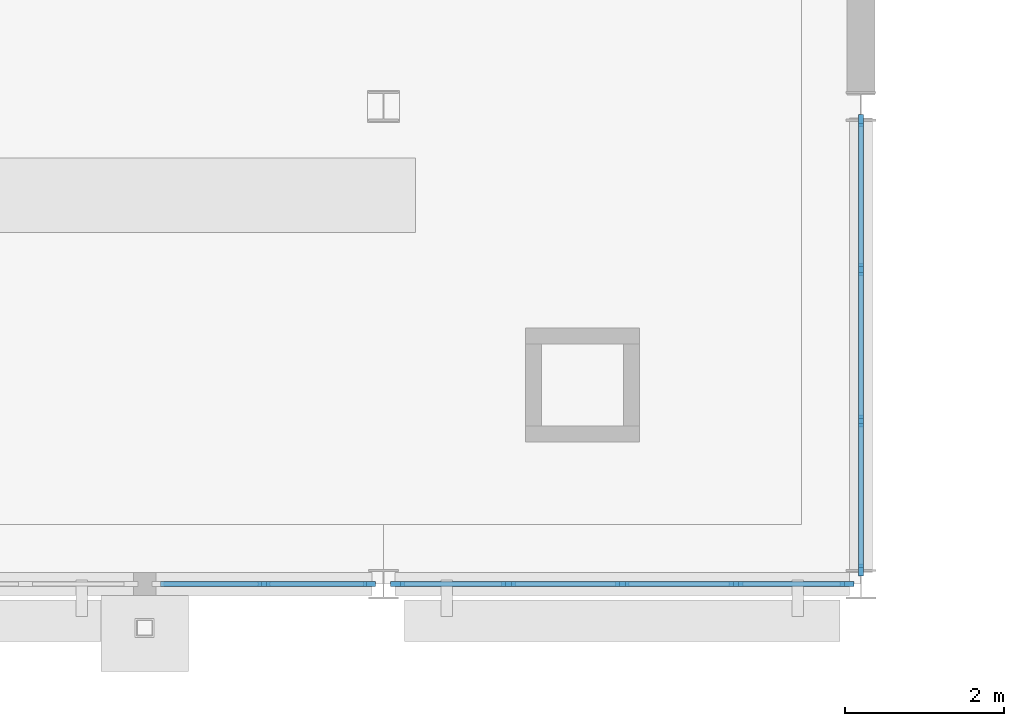
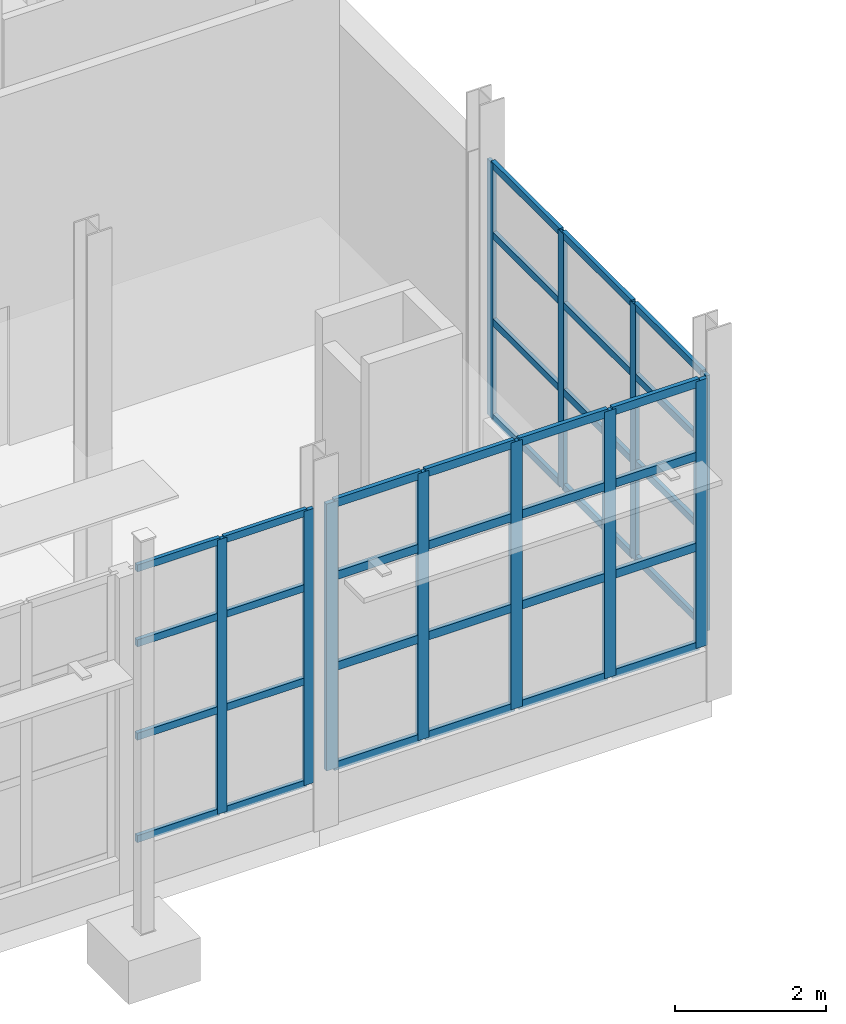
# One storey, part 62 of 120: 47 members, 3 elements without a shape of their own.
"""IFC4 building model written with IfcOpenShell, lengths in metres."""

from ifc_helpers import new_model, si_unit, direction, frame, origin, origin_2d, place, context, subcontext, project, spatial, rectangle, extrude, material, material_profile, profile_set, type_object, element, aggregate, save


model = new_model("IFC4")

# Units and contexts
model_context = context("Model", 3, precision=1e-05, world=origin(), true_north=direction((0.0, 1.0)))
body_context = subcontext(model_context, "Body", "Model", "MODEL_VIEW")
ifc_project = project(units=[si_unit("LENGTHUNIT", "METRE"), si_unit("AREAUNIT", "SQUARE_METRE"), si_unit("VOLUMEUNIT", "CUBIC_METRE"), si_unit("PLANEANGLEUNIT", "RADIAN"), si_unit("MASSUNIT", "GRAM", prefix="KILO")], contexts=[model_context])

# Site, building, storey
site_placement = place(None, origin())
site = spatial("IfcSite", under=ifc_project, at=site_placement, CompositionType="ELEMENT")
building_placement = place(site_placement, origin())
building = spatial("IfcBuilding", under=site, at=building_placement, Name="Siltcreek Boulevard Central Fire Station", CompositionType="ELEMENT")
storey_placement = place(building_placement, origin())
storey = spatial("IfcBuildingStorey", under=building, at=storey_placement, Name="L01", CompositionType="ELEMENT", Elevation=0.0)

# Curtain wall, members
ifc_material_1 = material(Name="Anodized aluminum and low-E insulated glazing", Category="aluminium")
curtain_wall_type_1 = type_object("IfcCurtainWallType", Name="CW_SYS_16", PredefinedType="USERDEFINED", material=ifc_material_1)
curtain_wall_1_placement = place(storey_placement, origin())
curtain_wall_1 = element("IfcCurtainWall", 1, at=curtain_wall_1_placement, inside=storey, type_object=curtain_wall_type_1, Name="L01 V5 unitised curtain wall CW-105", ObjectType="CURTAIN WALL", PredefinedType="USERDEFINED")
ifc_material_2 = material(Name="Anodized 6063-T6 aluminum framing", Category="aluminium")
ifc_material_profile_1 = material_profile(ifc_material_2, rectangle(XDim=0.06005859375, YDim=0.14990234375, at=origin_2d()), Name="MULL60X150")
ifc_profile_set_1 = profile_set([ifc_material_profile_1], Name="Anodized 6063-T6 aluminum framing")
member_type_1 = type_object("IfcMemberType", Name="CWM_60X150", PredefinedType="MULLION", material=ifc_profile_set_1)
member_1_placement = place(storey_placement, frame((158.697509765625, 88.199951171875, 0.679931640625), z_axis=(0.0, 0.0, 1.0), x_axis=(0.0, 1.0, 0.0)))
member_1 = element("IfcMember", 2, at=member_1_placement, type_object=member_type_1, Name="CW-105 mullion 2", PredefinedType="MULLION", context=body_context, shape_type="SweptSolid", body=[
    extrude(rectangle(XDim=0.06005859375, YDim=0.14990234375, at=origin_2d()), origin(), (0.0, 0.0, 1.0), 4.43310546875),
])
member_2_placement = place(storey_placement, frame((160.02490234375, 88.199951171875, 0.679931640625), z_axis=(0.0, 0.0, 1.0), x_axis=(0.0, 1.0, 0.0)))
member_2 = element("IfcMember", 3, at=member_2_placement, type_object=member_type_1, Name="CW-105 mullion 3", PredefinedType="MULLION", context=body_context, shape_type="SweptSolid", body=[
    extrude(rectangle(XDim=0.06005859375, YDim=0.14990234375, at=origin_2d()), origin(), (0.0, 0.0, 1.0), 4.43310546875),
])

curtain_wall_type_2 = type_object("IfcCurtainWallType", Name="CW_SYS_30", PredefinedType="USERDEFINED", material=ifc_material_1)
curtain_wall_2_placement = place(storey_placement, origin())
curtain_wall_2 = element("IfcCurtainWall", 4, at=curtain_wall_2_placement, inside=storey, type_object=curtain_wall_type_2, Name="L01 V5 unitised curtain wall CW-119", ObjectType="CURTAIN WALL", PredefinedType="USERDEFINED")
member_3_placement = place(storey_placement, frame((166.199951171875, 88.375, 0.919921875), z_axis=(0.0, 0.0, 1.0), x_axis=(-1.0, 0.0, 0.0)))
member_3 = element("IfcMember", 5, at=member_3_placement, type_object=member_type_1, Name="CW-119 mullion 1", PredefinedType="MULLION", context=body_context, shape_type="SweptSolid", body=[
    extrude(rectangle(XDim=0.06005859375, YDim=0.14990234375, at=origin_2d()), origin(), (0.0, 0.0, 1.0), 4.1240234375),
])
member_4_placement = place(storey_placement, frame((166.199951171875, 90.248291015625, 0.919921875), z_axis=(0.0, 0.0, 1.0), x_axis=(-1.0, 0.0, 0.0)))
member_4 = element("IfcMember", 6, at=member_4_placement, type_object=member_type_1, Name="CW-119 mullion 2", PredefinedType="MULLION", context=body_context, shape_type="SweptSolid", body=[
    extrude(rectangle(XDim=0.06005859375, YDim=0.14990234375, at=origin_2d()), origin(), (0.0, 0.0, 1.0), 4.1240234375),
])
member_5_placement = place(storey_placement, frame((166.199951171875, 92.151611328125, 0.919921875), z_axis=(0.0, 0.0, 1.0), x_axis=(-1.0, 0.0, 0.0)))
member_5 = element("IfcMember", 7, at=member_5_placement, type_object=member_type_1, Name="CW-119 mullion 3", PredefinedType="MULLION", context=body_context, shape_type="SweptSolid", body=[
    extrude(rectangle(XDim=0.06005859375, YDim=0.14990234375, at=origin_2d()), origin(), (0.0, 0.0, 1.0), 4.1240234375),
])
member_6_placement = place(storey_placement, frame((166.199951171875, 94.02490234375, 0.919921875), z_axis=(0.0, 0.0, 1.0), x_axis=(-1.0, 0.0, 0.0)))
member_6 = element("IfcMember", 8, at=member_6_placement, type_object=member_type_1, Name="CW-119 mullion 4", PredefinedType="MULLION", context=body_context, shape_type="SweptSolid", body=[
    extrude(rectangle(XDim=0.06005859375, YDim=0.14990234375, at=origin_2d()), origin(), (0.0, 0.0, 1.0), 4.1240234375),
])

curtain_wall_type_3 = type_object("IfcCurtainWallType", Name="CW_SYS_17", PredefinedType="USERDEFINED", material=ifc_material_1)
curtain_wall_3_placement = place(storey_placement, origin())
curtain_wall_3 = element("IfcCurtainWall", 9, at=curtain_wall_3_placement, inside=storey, type_object=curtain_wall_type_3, Name="L01 V5 unitised curtain wall CW-106", ObjectType="CURTAIN WALL", PredefinedType="USERDEFINED")
ifc_material_profile_2 = material_profile(ifc_material_2, rectangle(XDim=0.06494140625, YDim=0.175048828125, at=origin_2d()), Name="MULL65X175")
ifc_profile_set_2 = profile_set([ifc_material_profile_2], Name="Anodized 6063-T6 aluminum framing")
member_type_2 = type_object("IfcMemberType", Name="CWM_65X175", PredefinedType="MULLION", material=ifc_profile_set_2)
member_7_placement = place(storey_placement, frame((160.37744140625, 88.199951171875, 0.800048828125), z_axis=(0.0, 0.0, 1.0), x_axis=(0.0, 1.0, 0.0)))
member_7 = element("IfcMember", 10, at=member_7_placement, type_object=member_type_2, Name="CW-106 mullion 1", PredefinedType="MULLION", context=body_context, shape_type="SweptSolid", body=[
    extrude(rectangle(XDim=0.06494140625, YDim=0.175048828125, at=origin_2d()), origin(), (0.0, 0.0, 1.0), 4.31298828125),
])
member_8_placement = place(storey_placement, frame((161.7724609375, 88.199951171875, 0.800048828125), z_axis=(0.0, 0.0, 1.0), x_axis=(0.0, 1.0, 0.0)))
member_8 = element("IfcMember", 11, at=member_8_placement, type_object=member_type_2, Name="CW-106 mullion 2", PredefinedType="MULLION", context=body_context, shape_type="SweptSolid", body=[
    extrude(rectangle(XDim=0.06494140625, YDim=0.175048828125, at=origin_2d()), origin(), (0.0, 0.0, 1.0), 4.31298828125),
])
member_9_placement = place(storey_placement, frame((163.199951171875, 88.199951171875, 0.800048828125), z_axis=(0.0, 0.0, 1.0), x_axis=(0.0, 1.0, 0.0)))
member_9 = element("IfcMember", 12, at=member_9_placement, type_object=member_type_2, Name="CW-106 mullion 3", PredefinedType="MULLION", context=body_context, shape_type="SweptSolid", body=[
    extrude(rectangle(XDim=0.06494140625, YDim=0.175048828125, at=origin_2d()), origin(), (0.0, 0.0, 1.0), 4.31298828125),
])
member_10_placement = place(storey_placement, frame((164.62744140625, 88.199951171875, 0.800048828125), z_axis=(0.0, 0.0, 1.0), x_axis=(0.0, 1.0, 0.0)))
member_10 = element("IfcMember", 13, at=member_10_placement, type_object=member_type_2, Name="CW-106 mullion 4", PredefinedType="MULLION", context=body_context, shape_type="SweptSolid", body=[
    extrude(rectangle(XDim=0.06494140625, YDim=0.175048828125, at=origin_2d()), origin(), (0.0, 0.0, 1.0), 4.31298828125),
])
member_11_placement = place(storey_placement, frame((166.0224609375, 88.199951171875, 0.800048828125), z_axis=(0.0, 0.0, 1.0), x_axis=(0.0, 1.0, 0.0)))
member_11 = element("IfcMember", 14, at=member_11_placement, type_object=member_type_2, Name="CW-106 mullion 5", PredefinedType="MULLION", context=body_context, shape_type="SweptSolid", body=[
    extrude(rectangle(XDim=0.06494140625, YDim=0.175048828125, at=origin_2d()), origin(), (0.0, 0.0, 1.0), 4.31298828125),
])

# Member
ifc_material_profile_3 = material_profile(ifc_material_2, rectangle(XDim=0.06005859375, YDim=0.114990234375, at=origin_2d()), Name="TRAN60X115")
ifc_profile_set_3 = profile_set([ifc_material_profile_3], Name="Anodized 6063-T6 aluminum framing")
member_type_3 = type_object("IfcMemberType", Name="CWT_60X115", PredefinedType="USERDEFINED", material=ifc_profile_set_3)
member_12_placement = place(storey_placement, frame((157.39990234375, 88.199951171875, 0.7099609375), z_axis=(1.0, 0.0, 0.0), x_axis=(0.0, 1.0, 0.0)))
member_12 = element("IfcMember", 15, at=member_12_placement, type_object=member_type_3, Name="CW-105 transom 1.1", ObjectType="TRANSOM", PredefinedType="USERDEFINED", context=body_context, shape_type="SweptSolid", body=[
    extrude(rectangle(XDim=0.06005859375, YDim=0.114990234375, at=origin_2d()), origin(), (0.0, 0.0, 1.0), 1.267578125),
])

member_13_placement = place(storey_placement, frame((157.39990234375, 88.199951171875, 2.364501953125), z_axis=(1.0, 0.0, 0.0), x_axis=(0.0, 1.0, 0.0)))
member_13 = element("IfcMember", 16, at=member_13_placement, type_object=member_type_3, Name="CW-105 transom 1.2", ObjectType="TRANSOM", PredefinedType="USERDEFINED", context=body_context, shape_type="SweptSolid", body=[
    extrude(rectangle(XDim=0.06005859375, YDim=0.114990234375, at=origin_2d()), origin(), (0.0, 0.0, 1.0), 1.267578125),
])

member_14_placement = place(storey_placement, frame((157.39990234375, 88.199951171875, 3.871826171875), z_axis=(1.0, 0.0, 0.0), x_axis=(0.0, 1.0, 0.0)))
member_14 = element("IfcMember", 17, at=member_14_placement, type_object=member_type_3, Name="CW-105 transom 1.3", ObjectType="TRANSOM", PredefinedType="USERDEFINED", context=body_context, shape_type="SweptSolid", body=[
    extrude(rectangle(XDim=0.06005859375, YDim=0.114990234375, at=origin_2d()), origin(), (0.0, 0.0, 1.0), 1.267578125),
])

member_15_placement = place(storey_placement, frame((157.39990234375, 88.199951171875, 5.0830078125), z_axis=(1.0, 0.0, 0.0), x_axis=(0.0, 1.0, 0.0)))
member_15 = element("IfcMember", 18, at=member_15_placement, type_object=member_type_3, Name="CW-105 transom 1.4", ObjectType="TRANSOM", PredefinedType="USERDEFINED", context=body_context, shape_type="SweptSolid", body=[
    extrude(rectangle(XDim=0.06005859375, YDim=0.114990234375, at=origin_2d()), origin(), (0.0, 0.0, 1.0), 1.267578125),
])

member_16_placement = place(storey_placement, frame((158.7275390625, 88.199951171875, 0.7099609375), z_axis=(1.0, 0.0, 0.0), x_axis=(0.0, 1.0, 0.0)))
member_16 = element("IfcMember", 19, at=member_16_placement, type_object=member_type_3, Name="CW-105 transom 2.1", ObjectType="TRANSOM", PredefinedType="USERDEFINED", context=body_context, shape_type="SweptSolid", body=[
    extrude(rectangle(XDim=0.06005859375, YDim=0.114990234375, at=origin_2d()), origin(), (0.0, 0.0, 1.0), 1.267578125),
])

member_17_placement = place(storey_placement, frame((158.7275390625, 88.199951171875, 2.364501953125), z_axis=(1.0, 0.0, 0.0), x_axis=(0.0, 1.0, 0.0)))
member_17 = element("IfcMember", 20, at=member_17_placement, type_object=member_type_3, Name="CW-105 transom 2.2", ObjectType="TRANSOM", PredefinedType="USERDEFINED", context=body_context, shape_type="SweptSolid", body=[
    extrude(rectangle(XDim=0.06005859375, YDim=0.114990234375, at=origin_2d()), origin(), (0.0, 0.0, 1.0), 1.267578125),
])

member_18_placement = place(storey_placement, frame((158.7275390625, 88.199951171875, 3.871826171875), z_axis=(1.0, 0.0, 0.0), x_axis=(0.0, 1.0, 0.0)))
member_18 = element("IfcMember", 21, at=member_18_placement, type_object=member_type_3, Name="CW-105 transom 2.3", ObjectType="TRANSOM", PredefinedType="USERDEFINED", context=body_context, shape_type="SweptSolid", body=[
    extrude(rectangle(XDim=0.06005859375, YDim=0.114990234375, at=origin_2d()), origin(), (0.0, 0.0, 1.0), 1.267578125),
])

member_19_placement = place(storey_placement, frame((158.7275390625, 88.199951171875, 5.0830078125), z_axis=(1.0, 0.0, 0.0), x_axis=(0.0, 1.0, 0.0)))
member_19 = element("IfcMember", 22, at=member_19_placement, type_object=member_type_3, Name="CW-105 transom 2.4", ObjectType="TRANSOM", PredefinedType="USERDEFINED", context=body_context, shape_type="SweptSolid", body=[
    extrude(rectangle(XDim=0.06005859375, YDim=0.114990234375, at=origin_2d()), origin(), (0.0, 0.0, 1.0), 1.267578125),
])

aggregate(curtain_wall_1, [member_1, member_2, member_12, member_13, member_14, member_15, member_16, member_17, member_18, member_19])

member_20_placement = place(storey_placement, frame((166.199951171875, 88.405029296875, 0.949951171875), z_axis=(0.0, 1.0, 0.0), x_axis=(-1.0, 0.0, 0.0)))
member_20 = element("IfcMember", 23, at=member_20_placement, type_object=member_type_3, Name="CW-119 transom 1.1", ObjectType="TRANSOM", PredefinedType="USERDEFINED", context=body_context, shape_type="SweptSolid", body=[
    extrude(rectangle(XDim=0.06005859375, YDim=0.114990234375, at=origin_2d()), origin(), (0.0, 0.0, 1.0), 1.813232421875),
])

member_21_placement = place(storey_placement, frame((166.199951171875, 88.405029296875, 2.487060546875), z_axis=(0.0, 1.0, 0.0), x_axis=(-1.0, 0.0, 0.0)))
member_21 = element("IfcMember", 24, at=member_21_placement, type_object=member_type_3, Name="CW-119 transom 1.2", ObjectType="TRANSOM", PredefinedType="USERDEFINED", context=body_context, shape_type="SweptSolid", body=[
    extrude(rectangle(XDim=0.06005859375, YDim=0.114990234375, at=origin_2d()), origin(), (0.0, 0.0, 1.0), 1.813232421875),
])

member_22_placement = place(storey_placement, frame((166.199951171875, 88.405029296875, 3.889404296875), z_axis=(0.0, 1.0, 0.0), x_axis=(-1.0, 0.0, 0.0)))
member_22 = element("IfcMember", 25, at=member_22_placement, type_object=member_type_3, Name="CW-119 transom 1.3", ObjectType="TRANSOM", PredefinedType="USERDEFINED", context=body_context, shape_type="SweptSolid", body=[
    extrude(rectangle(XDim=0.06005859375, YDim=0.114990234375, at=origin_2d()), origin(), (0.0, 0.0, 1.0), 1.813232421875),
])

member_23_placement = place(storey_placement, frame((166.199951171875, 88.405029296875, 5.013916015625), z_axis=(0.0, 1.0, 0.0), x_axis=(-1.0, 0.0, 0.0)))
member_23 = element("IfcMember", 26, at=member_23_placement, type_object=member_type_3, Name="CW-119 transom 1.4", ObjectType="TRANSOM", PredefinedType="USERDEFINED", context=body_context, shape_type="SweptSolid", body=[
    extrude(rectangle(XDim=0.06005859375, YDim=0.114990234375, at=origin_2d()), origin(), (0.0, 0.0, 1.0), 1.813232421875),
])

member_24_placement = place(storey_placement, frame((166.199951171875, 90.2783203125, 0.949951171875), z_axis=(0.0, 1.0, 0.0), x_axis=(-1.0, 0.0, 0.0)))
member_24 = element("IfcMember", 27, at=member_24_placement, type_object=member_type_3, Name="CW-119 transom 2.1", ObjectType="TRANSOM", PredefinedType="USERDEFINED", context=body_context, shape_type="SweptSolid", body=[
    extrude(rectangle(XDim=0.06005859375, YDim=0.114990234375, at=origin_2d()), origin(), (0.0, 0.0, 1.0), 1.84326171875),
])

member_25_placement = place(storey_placement, frame((166.199951171875, 90.2783203125, 2.487060546875), z_axis=(0.0, 1.0, 0.0), x_axis=(-1.0, 0.0, 0.0)))
member_25 = element("IfcMember", 28, at=member_25_placement, type_object=member_type_3, Name="CW-119 transom 2.2", ObjectType="TRANSOM", PredefinedType="USERDEFINED", context=body_context, shape_type="SweptSolid", body=[
    extrude(rectangle(XDim=0.06005859375, YDim=0.114990234375, at=origin_2d()), origin(), (0.0, 0.0, 1.0), 1.84326171875),
])

member_26_placement = place(storey_placement, frame((166.199951171875, 90.2783203125, 3.889404296875), z_axis=(0.0, 1.0, 0.0), x_axis=(-1.0, 0.0, 0.0)))
member_26 = element("IfcMember", 29, at=member_26_placement, type_object=member_type_3, Name="CW-119 transom 2.3", ObjectType="TRANSOM", PredefinedType="USERDEFINED", context=body_context, shape_type="SweptSolid", body=[
    extrude(rectangle(XDim=0.06005859375, YDim=0.114990234375, at=origin_2d()), origin(), (0.0, 0.0, 1.0), 1.84326171875),
])

member_27_placement = place(storey_placement, frame((166.199951171875, 90.2783203125, 5.013916015625), z_axis=(0.0, 1.0, 0.0), x_axis=(-1.0, 0.0, 0.0)))
member_27 = element("IfcMember", 30, at=member_27_placement, type_object=member_type_3, Name="CW-119 transom 2.4", ObjectType="TRANSOM", PredefinedType="USERDEFINED", context=body_context, shape_type="SweptSolid", body=[
    extrude(rectangle(XDim=0.06005859375, YDim=0.114990234375, at=origin_2d()), origin(), (0.0, 0.0, 1.0), 1.84326171875),
])

member_28_placement = place(storey_placement, frame((166.199951171875, 92.181640625, 0.949951171875), z_axis=(0.0, 1.0, 0.0), x_axis=(-1.0, 0.0, 0.0)))
member_28 = element("IfcMember", 31, at=member_28_placement, type_object=member_type_3, Name="CW-119 transom 3.1", ObjectType="TRANSOM", PredefinedType="USERDEFINED", context=body_context, shape_type="SweptSolid", body=[
    extrude(rectangle(XDim=0.06005859375, YDim=0.114990234375, at=origin_2d()), origin(), (0.0, 0.0, 1.0), 1.8134765625),
])

member_29_placement = place(storey_placement, frame((166.199951171875, 92.181640625, 2.487060546875), z_axis=(0.0, 1.0, 0.0), x_axis=(-1.0, 0.0, 0.0)))
member_29 = element("IfcMember", 32, at=member_29_placement, type_object=member_type_3, Name="CW-119 transom 3.2", ObjectType="TRANSOM", PredefinedType="USERDEFINED", context=body_context, shape_type="SweptSolid", body=[
    extrude(rectangle(XDim=0.06005859375, YDim=0.114990234375, at=origin_2d()), origin(), (0.0, 0.0, 1.0), 1.8134765625),
])

member_30_placement = place(storey_placement, frame((166.199951171875, 92.181640625, 3.889404296875), z_axis=(0.0, 1.0, 0.0), x_axis=(-1.0, 0.0, 0.0)))
member_30 = element("IfcMember", 33, at=member_30_placement, type_object=member_type_3, Name="CW-119 transom 3.3", ObjectType="TRANSOM", PredefinedType="USERDEFINED", context=body_context, shape_type="SweptSolid", body=[
    extrude(rectangle(XDim=0.06005859375, YDim=0.114990234375, at=origin_2d()), origin(), (0.0, 0.0, 1.0), 1.8134765625),
])

member_31_placement = place(storey_placement, frame((166.199951171875, 92.181640625, 5.013916015625), z_axis=(0.0, 1.0, 0.0), x_axis=(-1.0, 0.0, 0.0)))
member_31 = element("IfcMember", 34, at=member_31_placement, type_object=member_type_3, Name="CW-119 transom 3.4", ObjectType="TRANSOM", PredefinedType="USERDEFINED", context=body_context, shape_type="SweptSolid", body=[
    extrude(rectangle(XDim=0.06005859375, YDim=0.114990234375, at=origin_2d()), origin(), (0.0, 0.0, 1.0), 1.8134765625),
])

aggregate(curtain_wall_2, [member_3, member_4, member_5, member_6, member_20, member_21, member_22, member_23, member_24, member_25, member_26, member_27, member_28, member_29, member_30, member_31])

ifc_material_profile_4 = material_profile(ifc_material_2, rectangle(XDim=0.06494140625, YDim=0.135009765625, at=origin_2d()), Name="TRAN65X135")
ifc_profile_set_4 = profile_set([ifc_material_profile_4], Name="Anodized 6063-T6 aluminum framing")
member_type_4 = type_object("IfcMemberType", Name="CWT_65X135", PredefinedType="USERDEFINED", material=ifc_profile_set_4)
member_32_placement = place(storey_placement, frame((160.409912109375, 88.199951171875, 0.83251953125), z_axis=(1.0, 0.0, 0.0), x_axis=(0.0, 1.0, 0.0)))
member_32 = element("IfcMember", 35, at=member_32_placement, type_object=member_type_4, Name="CW-106 transom 1.1", ObjectType="TRANSOM", PredefinedType="USERDEFINED", context=body_context, shape_type="SweptSolid", body=[
    extrude(rectangle(XDim=0.06494140625, YDim=0.135009765625, at=origin_2d()), origin(), (0.0, 0.0, 1.0), 1.330078125),
])

member_33_placement = place(storey_placement, frame((160.409912109375, 88.199951171875, 2.43896484375), z_axis=(1.0, 0.0, 0.0), x_axis=(0.0, 1.0, 0.0)))
member_33 = element("IfcMember", 36, at=member_33_placement, type_object=member_type_4, Name="CW-106 transom 1.2", ObjectType="TRANSOM", PredefinedType="USERDEFINED", context=body_context, shape_type="SweptSolid", body=[
    extrude(rectangle(XDim=0.06494140625, YDim=0.135009765625, at=origin_2d()), origin(), (0.0, 0.0, 1.0), 1.330078125),
])

member_34_placement = place(storey_placement, frame((160.409912109375, 88.199951171875, 3.905517578125), z_axis=(1.0, 0.0, 0.0), x_axis=(0.0, 1.0, 0.0)))
member_34 = element("IfcMember", 37, at=member_34_placement, type_object=member_type_4, Name="CW-106 transom 1.3", ObjectType="TRANSOM", PredefinedType="USERDEFINED", context=body_context, shape_type="SweptSolid", body=[
    extrude(rectangle(XDim=0.06494140625, YDim=0.135009765625, at=origin_2d()), origin(), (0.0, 0.0, 1.0), 1.330078125),
])

member_35_placement = place(storey_placement, frame((160.409912109375, 88.199951171875, 5.08056640625), z_axis=(1.0, 0.0, 0.0), x_axis=(0.0, 1.0, 0.0)))
member_35 = element("IfcMember", 38, at=member_35_placement, type_object=member_type_4, Name="CW-106 transom 1.4", ObjectType="TRANSOM", PredefinedType="USERDEFINED", context=body_context, shape_type="SweptSolid", body=[
    extrude(rectangle(XDim=0.06494140625, YDim=0.135009765625, at=origin_2d()), origin(), (0.0, 0.0, 1.0), 1.330078125),
])

member_36_placement = place(storey_placement, frame((161.804931640625, 88.199951171875, 0.83251953125), z_axis=(1.0, 0.0, 0.0), x_axis=(0.0, 1.0, 0.0)))
member_36 = element("IfcMember", 39, at=member_36_placement, type_object=member_type_4, Name="CW-106 transom 2.1", ObjectType="TRANSOM", PredefinedType="USERDEFINED", context=body_context, shape_type="SweptSolid", body=[
    extrude(rectangle(XDim=0.06494140625, YDim=0.135009765625, at=origin_2d()), origin(), (0.0, 0.0, 1.0), 1.362548828125),
])

member_37_placement = place(storey_placement, frame((161.804931640625, 88.199951171875, 2.43896484375), z_axis=(1.0, 0.0, 0.0), x_axis=(0.0, 1.0, 0.0)))
member_37 = element("IfcMember", 40, at=member_37_placement, type_object=member_type_4, Name="CW-106 transom 2.2", ObjectType="TRANSOM", PredefinedType="USERDEFINED", context=body_context, shape_type="SweptSolid", body=[
    extrude(rectangle(XDim=0.06494140625, YDim=0.135009765625, at=origin_2d()), origin(), (0.0, 0.0, 1.0), 1.362548828125),
])

member_38_placement = place(storey_placement, frame((161.804931640625, 88.199951171875, 3.905517578125), z_axis=(1.0, 0.0, 0.0), x_axis=(0.0, 1.0, 0.0)))
member_38 = element("IfcMember", 41, at=member_38_placement, type_object=member_type_4, Name="CW-106 transom 2.3", ObjectType="TRANSOM", PredefinedType="USERDEFINED", context=body_context, shape_type="SweptSolid", body=[
    extrude(rectangle(XDim=0.06494140625, YDim=0.135009765625, at=origin_2d()), origin(), (0.0, 0.0, 1.0), 1.362548828125),
])

member_39_placement = place(storey_placement, frame((161.804931640625, 88.199951171875, 5.08056640625), z_axis=(1.0, 0.0, 0.0), x_axis=(0.0, 1.0, 0.0)))
member_39 = element("IfcMember", 42, at=member_39_placement, type_object=member_type_4, Name="CW-106 transom 2.4", ObjectType="TRANSOM", PredefinedType="USERDEFINED", context=body_context, shape_type="SweptSolid", body=[
    extrude(rectangle(XDim=0.06494140625, YDim=0.135009765625, at=origin_2d()), origin(), (0.0, 0.0, 1.0), 1.362548828125),
])

member_40_placement = place(storey_placement, frame((163.232421875, 88.199951171875, 0.83251953125), z_axis=(1.0, 0.0, 0.0), x_axis=(0.0, 1.0, 0.0)))
member_40 = element("IfcMember", 43, at=member_40_placement, type_object=member_type_4, Name="CW-106 transom 3.1", ObjectType="TRANSOM", PredefinedType="USERDEFINED", context=body_context, shape_type="SweptSolid", body=[
    extrude(rectangle(XDim=0.06494140625, YDim=0.135009765625, at=origin_2d()), origin(), (0.0, 0.0, 1.0), 1.362548828125),
])

member_41_placement = place(storey_placement, frame((163.232421875, 88.199951171875, 2.43896484375), z_axis=(1.0, 0.0, 0.0), x_axis=(0.0, 1.0, 0.0)))
member_41 = element("IfcMember", 44, at=member_41_placement, type_object=member_type_4, Name="CW-106 transom 3.2", ObjectType="TRANSOM", PredefinedType="USERDEFINED", context=body_context, shape_type="SweptSolid", body=[
    extrude(rectangle(XDim=0.06494140625, YDim=0.135009765625, at=origin_2d()), origin(), (0.0, 0.0, 1.0), 1.362548828125),
])

member_42_placement = place(storey_placement, frame((163.232421875, 88.199951171875, 3.905517578125), z_axis=(1.0, 0.0, 0.0), x_axis=(0.0, 1.0, 0.0)))
member_42 = element("IfcMember", 45, at=member_42_placement, type_object=member_type_4, Name="CW-106 transom 3.3", ObjectType="TRANSOM", PredefinedType="USERDEFINED", context=body_context, shape_type="SweptSolid", body=[
    extrude(rectangle(XDim=0.06494140625, YDim=0.135009765625, at=origin_2d()), origin(), (0.0, 0.0, 1.0), 1.362548828125),
])

member_43_placement = place(storey_placement, frame((163.232421875, 88.199951171875, 5.08056640625), z_axis=(1.0, 0.0, 0.0), x_axis=(0.0, 1.0, 0.0)))
member_43 = element("IfcMember", 46, at=member_43_placement, type_object=member_type_4, Name="CW-106 transom 3.4", ObjectType="TRANSOM", PredefinedType="USERDEFINED", context=body_context, shape_type="SweptSolid", body=[
    extrude(rectangle(XDim=0.06494140625, YDim=0.135009765625, at=origin_2d()), origin(), (0.0, 0.0, 1.0), 1.362548828125),
])

member_44_placement = place(storey_placement, frame((164.659912109375, 88.199951171875, 0.83251953125), z_axis=(1.0, 0.0, 0.0), x_axis=(0.0, 1.0, 0.0)))
member_44 = element("IfcMember", 47, at=member_44_placement, type_object=member_type_4, Name="CW-106 transom 4.1", ObjectType="TRANSOM", PredefinedType="USERDEFINED", context=body_context, shape_type="SweptSolid", body=[
    extrude(rectangle(XDim=0.06494140625, YDim=0.135009765625, at=origin_2d()), origin(), (0.0, 0.0, 1.0), 1.330078125),
])

member_45_placement = place(storey_placement, frame((164.659912109375, 88.199951171875, 2.43896484375), z_axis=(1.0, 0.0, 0.0), x_axis=(0.0, 1.0, 0.0)))
member_45 = element("IfcMember", 48, at=member_45_placement, type_object=member_type_4, Name="CW-106 transom 4.2", ObjectType="TRANSOM", PredefinedType="USERDEFINED", context=body_context, shape_type="SweptSolid", body=[
    extrude(rectangle(XDim=0.06494140625, YDim=0.135009765625, at=origin_2d()), origin(), (0.0, 0.0, 1.0), 1.330078125),
])

member_46_placement = place(storey_placement, frame((164.659912109375, 88.199951171875, 3.905517578125), z_axis=(1.0, 0.0, 0.0), x_axis=(0.0, 1.0, 0.0)))
member_46 = element("IfcMember", 49, at=member_46_placement, type_object=member_type_4, Name="CW-106 transom 4.3", ObjectType="TRANSOM", PredefinedType="USERDEFINED", context=body_context, shape_type="SweptSolid", body=[
    extrude(rectangle(XDim=0.06494140625, YDim=0.135009765625, at=origin_2d()), origin(), (0.0, 0.0, 1.0), 1.330078125),
])

member_47_placement = place(storey_placement, frame((164.659912109375, 88.199951171875, 5.08056640625), z_axis=(1.0, 0.0, 0.0), x_axis=(0.0, 1.0, 0.0)))
member_47 = element("IfcMember", 50, at=member_47_placement, type_object=member_type_4, Name="CW-106 transom 4.4", ObjectType="TRANSOM", PredefinedType="USERDEFINED", context=body_context, shape_type="SweptSolid", body=[
    extrude(rectangle(XDim=0.06494140625, YDim=0.135009765625, at=origin_2d()), origin(), (0.0, 0.0, 1.0), 1.330078125),
])

aggregate(curtain_wall_3, [member_7, member_8, member_9, member_10, member_11, member_32, member_33, member_34, member_35, member_36, member_37, member_38, member_39, member_40, member_41, member_42, member_43, member_44, member_45, member_46, member_47])

save(model, "model.ifc")
